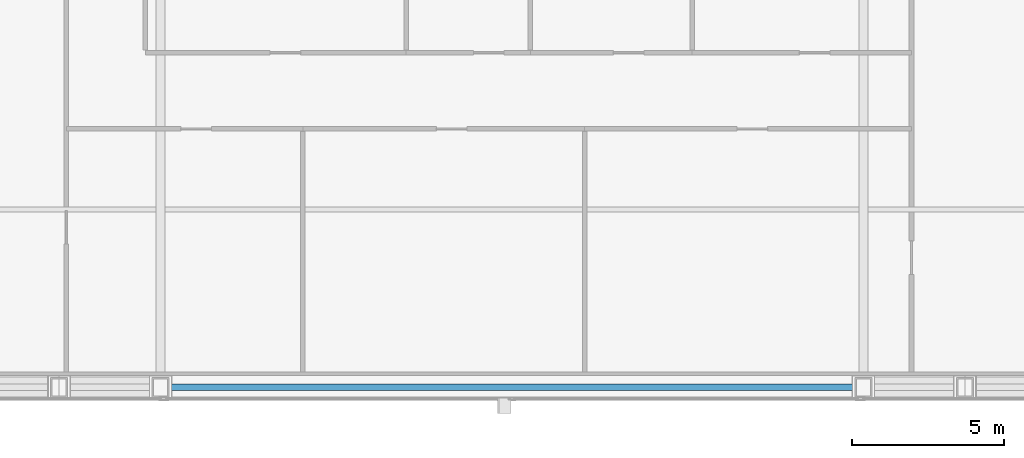
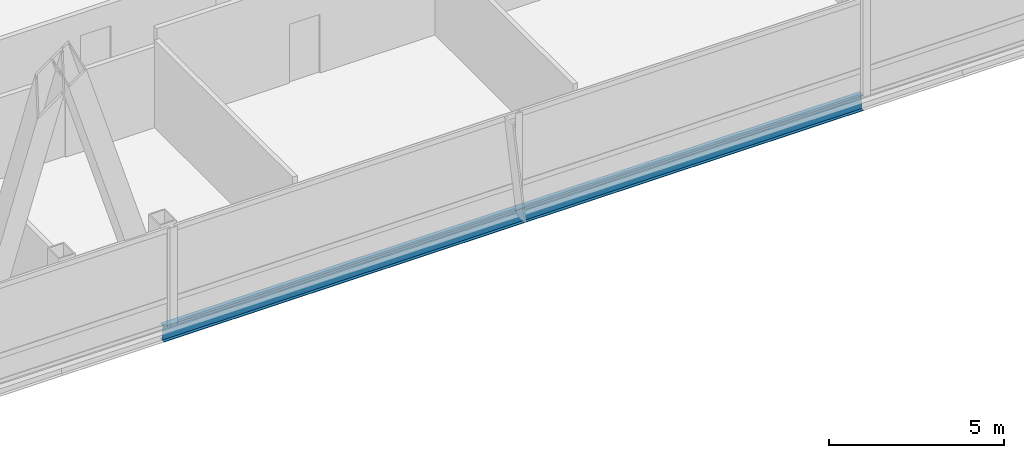
# One storey, part 8 of 31: 1 beam.
"""IFC4 building model written with IfcOpenShell, lengths in metres."""

from ifc_helpers import new_model, si_unit, direction, frame, origin, origin_2d, place, context, subcontext, project, spatial, i_section, extrude, material, material_profile, profile_set, type_object, element, save


model = new_model("IFC4")

# Units and contexts
model_context = context("Model", 3, precision=1e-05, world=origin(), true_north=direction((0.0, 1.0)))
body_context = subcontext(model_context, "Body", "Model", "MODEL_VIEW")
ifc_project = project(units=[si_unit("LENGTHUNIT", "METRE"), si_unit("AREAUNIT", "SQUARE_METRE"), si_unit("VOLUMEUNIT", "CUBIC_METRE"), si_unit("PLANEANGLEUNIT", "RADIAN"), si_unit("MASSUNIT", "GRAM", prefix="KILO")], contexts=[model_context])

# Site, building, storey
site_placement = place(None, origin())
site = spatial("IfcSite", under=ifc_project, at=site_placement, CompositionType="ELEMENT")
building_placement = place(site_placement, origin())
building = spatial("IfcBuilding", under=site, at=building_placement, Name="Khoronbel Lancet Exchange", CompositionType="ELEMENT")
storey_placement = place(building_placement, frame((0.0, 0.0, 325.39990234375)))
storey = spatial("IfcBuildingStorey", under=building, at=storey_placement, Name="L84", CompositionType="ELEMENT", Elevation=325.39990234375)

# Beam
ifc_material = material(Name="Steel S355", Category="steel")
ifc_material_profile = material_profile(ifc_material, i_section(OverallWidth=0.2099609375, OverallDepth=0.550048828125, WebThickness=0.010986328125, FlangeThickness=0.01708984375, at=origin_2d()), Name="IPE 550")
ifc_profile_set = profile_set([ifc_material_profile], Name="Steel S355")
beam_type = type_object("IfcBeamType", Name="BM-BSP3", PredefinedType="SPANDREL", material=ifc_profile_set)
beam_placement = place(storey_placement, frame((24.89990234375, 10.14990234375, -0.434814453125), z_axis=(1.0, 0.0, 0.0), x_axis=(0.0, 1.0, 0.0)))
element("IfcBeam", 1, at=beam_placement, inside=storey, type_object=beam_type, Name="Level L84 perimeter spandrel beam SP04", PredefinedType="SPANDREL", context=body_context, shape_type="SweptSolid", body=[
    extrude(i_section(OverallWidth=0.2099609375, OverallDepth=0.550048828125, WebThickness=0.010986328125, FlangeThickness=0.01708984375, at=origin_2d()), origin(), (0.0, 0.0, 1.0), 23.10009765625),
])

save(model, "model.ifc")
